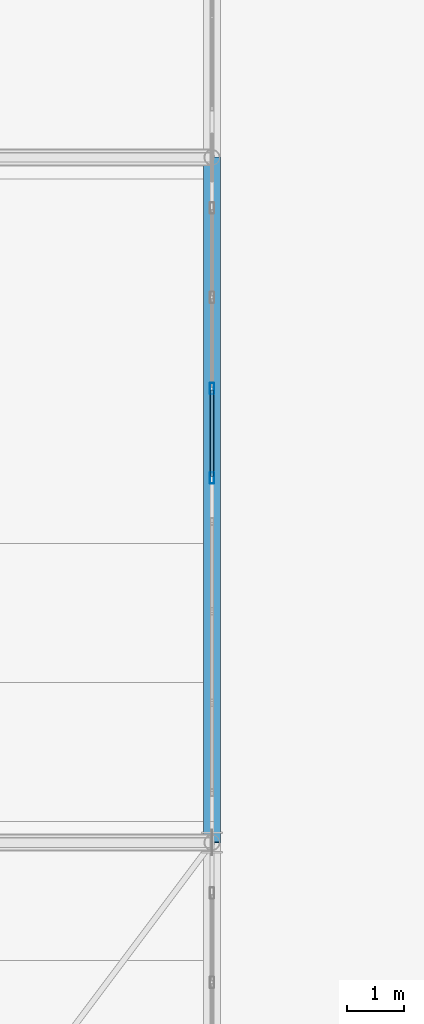
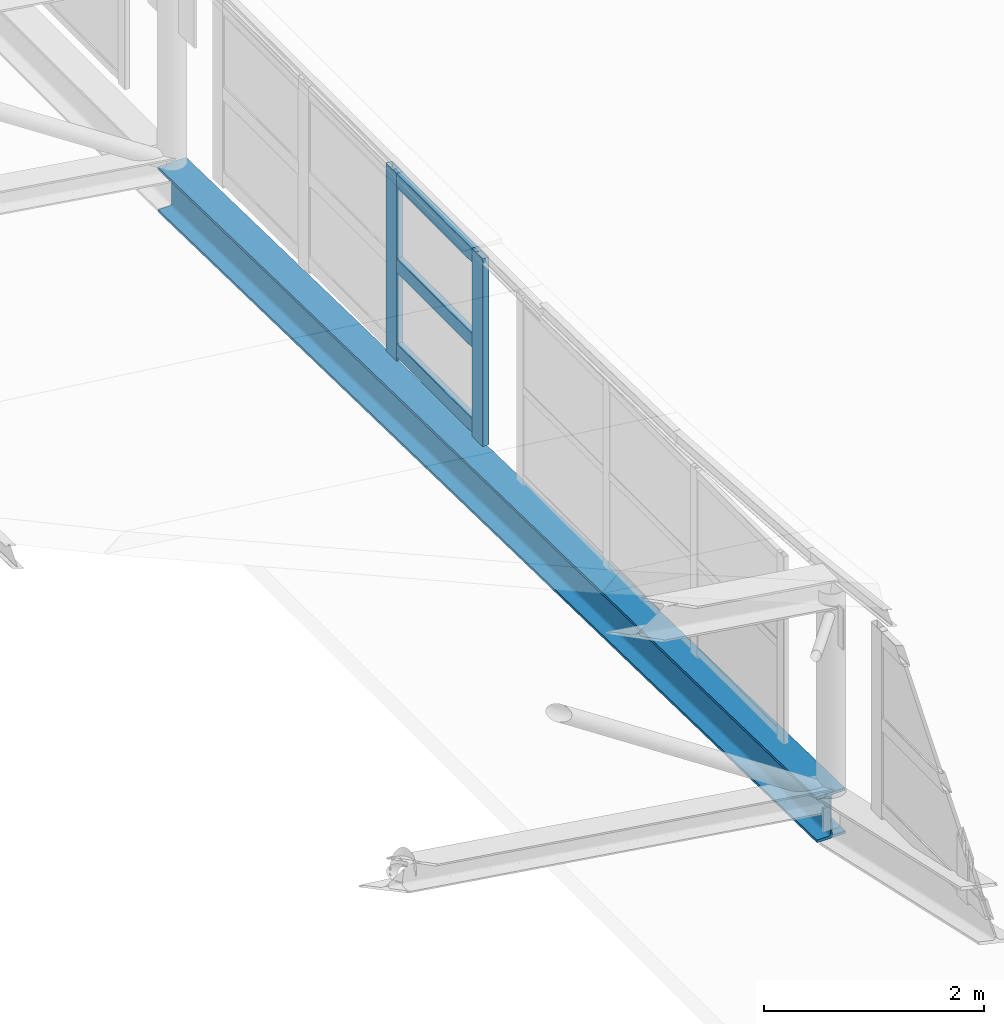
# One storey, part 96 of 262: 5 members, 1 beam, 1 element without a shape of its own.
"""IFC4 building model written with IfcOpenShell, lengths in metres."""

from ifc_helpers import new_model, si_unit, derived_unit, direction, frame, origin, origin_2d, place, context, subcontext, project, spatial, hollow_rectangle, i_section, extrude, material, layer, layer_set, material_profile, profile_set, type_object, element, aggregate, save


model = new_model("IFC4")

# Units and contexts
model_context = context("Model", 3, precision=1e-05, world=origin(), true_north=direction((0.0, 1.0)))
body_context = subcontext(model_context, "Body", "Model", "MODEL_VIEW")
ifc_project = project(units=[si_unit("LENGTHUNIT", "METRE"), si_unit("AREAUNIT", "SQUARE_METRE"), si_unit("VOLUMEUNIT", "CUBIC_METRE"), si_unit("PLANEANGLEUNIT", "RADIAN"), si_unit("MASSUNIT", "GRAM", prefix="KILO"), derived_unit("THERMALTRANSMITTANCEUNIT", [(si_unit("POWERUNIT", "WATT"), 1), (si_unit("LENGTHUNIT", "METRE"), -2), (si_unit("THERMODYNAMICTEMPERATUREUNIT", "KELVIN"), -1)])], contexts=[model_context])

# Site, building, storey
site_placement = place(None, origin())
site = spatial("IfcSite", under=ifc_project, at=site_placement, CompositionType="ELEMENT")
building_placement = place(site_placement, origin())
building = spatial("IfcBuilding", under=site, at=building_placement, Name="Almenara Railside Exhibition Hall", CompositionType="ELEMENT")
storey_placement = place(building_placement, frame((0.0, 0.0, 21.699951171875)))
storey = spatial("IfcBuildingStorey", under=building, at=storey_placement, Name="RF", CompositionType="ELEMENT", Elevation=21.699951171875)

# Curtain wall, members
ifc_material_1 = material(Name="Bronze-anodised aluminium and low-E double glazing", Category="aluminium")
ifc_layer = layer(ifc_material_1, 0.179931640625, Name="Bronze-anodised aluminium and low-E double glazing")
ifc_layer_set = layer_set([ifc_layer], Name="Bronze-anodised aluminium and low-E double glazing")
curtain_wall_type = type_object("IfcCurtainWallType", Name="West Hall Clerestory Curtain Wall 4200x2400", PredefinedType="NOTDEFINED", material=ifc_layer_set)
curtain_wall_placement = place(storey_placement, origin())
curtain_wall = element("IfcCurtainWall", 1, at=curtain_wall_placement, inside=storey, type_object=curtain_wall_type, Name="Curtain wall CW-CL1-179", PredefinedType="NOTDEFINED")
ifc_material_2 = material(Name="Bronze-anodised aluminium", Category="aluminium")
ifc_material_profile_1 = material_profile(ifc_material_2, hollow_rectangle(XDim=0.070068359375, YDim=0.199951171875, WallThickness=0.00439453125, InnerFilletRadius=0.00439453125, OuterFilletRadius=0.009033203125, at=origin_2d()), Name="ALU-MUL 70x200x4.5")
ifc_profile_set_1 = profile_set([ifc_material_profile_1], Name="Bronze-anodised aluminium")
member_type_1 = type_object("IfcMemberType", Name="Curtain Wall Mullion 70x200x4.5", PredefinedType="MULLION", material=ifc_profile_set_1)
member_1_placement = place(storey_placement, frame((66.0, 78.385009765625, -2.0849609375), z_axis=(0.0, 0.0, 1.0), x_axis=(-1.0, 0.0, 0.0)))
member_1 = element("IfcMember", 2, at=member_1_placement, type_object=member_type_1, Name="CW-CL1-179 mullion 1", PredefinedType="MULLION", context=body_context, shape_type="SweptSolid", body=[
    extrude(hollow_rectangle(XDim=0.070068359375, YDim=0.199951171875, WallThickness=0.00439453125, InnerFilletRadius=0.00439453125, OuterFilletRadius=0.009033203125, at=origin_2d()), origin(), (0.0, 0.0, 1.0), 2.0849609375),
])
member_2_placement = place(storey_placement, frame((66.0, 79.949951171875, -2.0849609375), z_axis=(0.0, 0.0, 1.0), x_axis=(-1.0, 0.0, 0.0)))
member_2 = element("IfcMember", 3, at=member_2_placement, type_object=member_type_1, Name="CW-CL1-179 mullion 2", PredefinedType="MULLION", context=body_context, shape_type="SweptSolid", body=[
    extrude(hollow_rectangle(XDim=0.070068359375, YDim=0.199951171875, WallThickness=0.00439453125, InnerFilletRadius=0.00439453125, OuterFilletRadius=0.009033203125, at=origin_2d()), origin(), (0.0, 0.0, 1.0), 2.0849609375),
])
ifc_material_profile_2 = material_profile(ifc_material_2, hollow_rectangle(XDim=0.070068359375, YDim=0.159912109375, WallThickness=0.00390625, InnerFilletRadius=0.00390625, OuterFilletRadius=0.008056640625, at=origin_2d()), Name="ALU-TRN 70x160x4")
ifc_profile_set_2 = profile_set([ifc_material_profile_2], Name="Bronze-anodised aluminium")
member_type_2 = type_object("IfcMemberType", Name="Curtain Wall Transom 70x160x4", PredefinedType="USERDEFINED", material=ifc_profile_set_2)
member_3_placement = place(storey_placement, frame((66.0, 78.412109375, -1.969970703125), z_axis=(0.0, 1.0, 0.0), x_axis=(-1.0, 0.0, 0.0)))
member_3 = element("IfcMember", 4, at=member_3_placement, type_object=member_type_2, Name="CW-CL1-179 transom 1.1", ObjectType="TRANSOM", PredefinedType="USERDEFINED", context=body_context, shape_type="SweptSolid", body=[
    extrude(hollow_rectangle(XDim=0.070068359375, YDim=0.159912109375, WallThickness=0.00390625, InnerFilletRadius=0.00390625, OuterFilletRadius=0.008056640625, at=origin_2d()), origin(), (0.0, 0.0, 1.0), 1.510986328125),
])
member_4_placement = place(storey_placement, frame((66.0, 78.412109375, -1.02490234375), z_axis=(0.0, 1.0, 0.0), x_axis=(-1.0, 0.0, 0.0)))
member_4 = element("IfcMember", 5, at=member_4_placement, type_object=member_type_2, Name="CW-CL1-179 transom 1.2", ObjectType="TRANSOM", PredefinedType="USERDEFINED", context=body_context, shape_type="SweptSolid", body=[
    extrude(hollow_rectangle(XDim=0.070068359375, YDim=0.159912109375, WallThickness=0.00390625, InnerFilletRadius=0.00390625, OuterFilletRadius=0.008056640625, at=origin_2d()), origin(), (0.0, 0.0, 1.0), 1.510986328125),
])
member_5_placement = place(storey_placement, frame((66.0, 78.412109375, -0.079833984375), z_axis=(0.0, 1.0, 0.0), x_axis=(-1.0, 0.0, 0.0)))
member_5 = element("IfcMember", 6, at=member_5_placement, type_object=member_type_2, Name="CW-CL1-179 transom 1.3", ObjectType="TRANSOM", PredefinedType="USERDEFINED", context=body_context, shape_type="SweptSolid", body=[
    extrude(hollow_rectangle(XDim=0.070068359375, YDim=0.159912109375, WallThickness=0.00390625, InnerFilletRadius=0.00390625, OuterFilletRadius=0.008056640625, at=origin_2d()), origin(), (0.0, 0.0, 1.0), 1.510986328125),
])
aggregate(curtain_wall, [member_1, member_2, member_3, member_4, member_5])

# Beam
ifc_material_3 = material(Name="Structural steel S355JR", Category="steel")
ifc_material_profile_3 = material_profile(ifc_material_3, i_section(OverallWidth=0.300048828125, OverallDepth=0.5, WebThickness=0.014404296875, FlangeThickness=0.028076171875, FilletRadius=0.027099609375, at=origin_2d()), Name="HEB 500")
ifc_profile_set_3 = profile_set([ifc_material_profile_3], Name="Structural steel S355JR")
beam_type = type_object("IfcBeamType", Name="Steel Heavy Eaves Girder HEB 500 S355JR", PredefinedType="USERDEFINED", material=ifc_profile_set_3)
beam_placement = place(storey_placement, frame((66.0, 72.0, -2.38525390625), z_axis=(0.0, 0.999756898414, -0.022048675087), x_axis=(-1.0, 0.0, 0.0)))
element("IfcBeam", 7, at=beam_placement, inside=storey, type_object=beam_type, Name="Beam 0966", ObjectType="GIRDER", PredefinedType="USERDEFINED", context=body_context, shape_type="SweptSolid", body=[
    extrude(i_section(OverallWidth=0.300048828125, OverallDepth=0.5, WebThickness=0.014404296875, FlangeThickness=0.028076171875, FilletRadius=0.027099609375, at=origin_2d()), origin(), (0.0, 0.0, 1.0), 12.0029296875),
])

save(model, "model.ifc")
